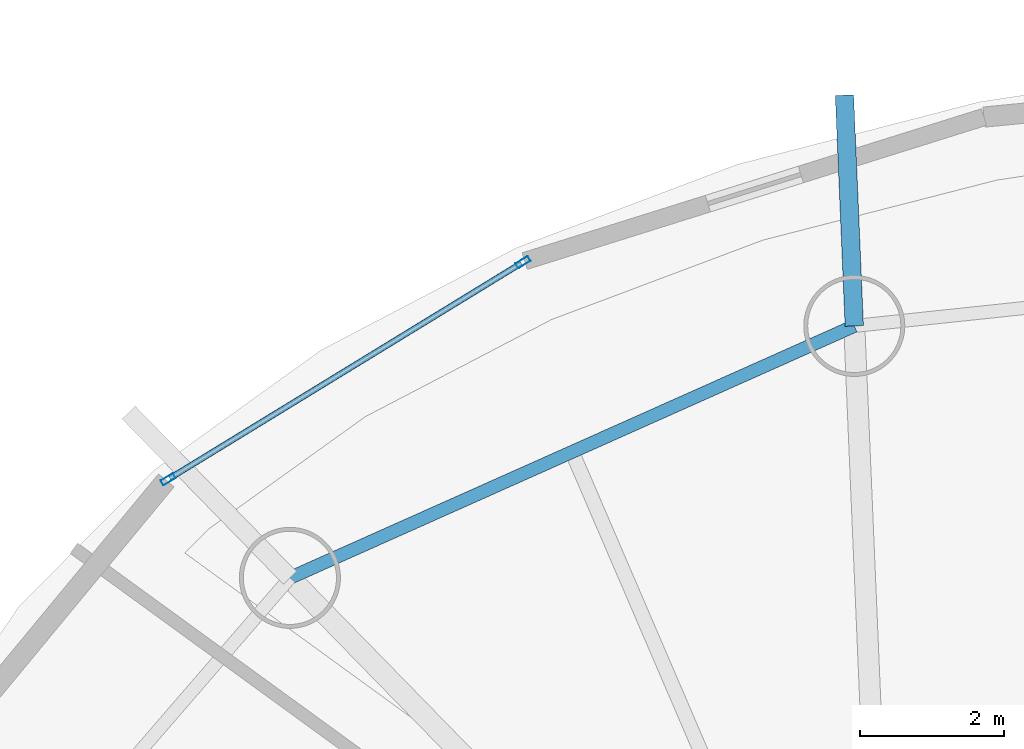
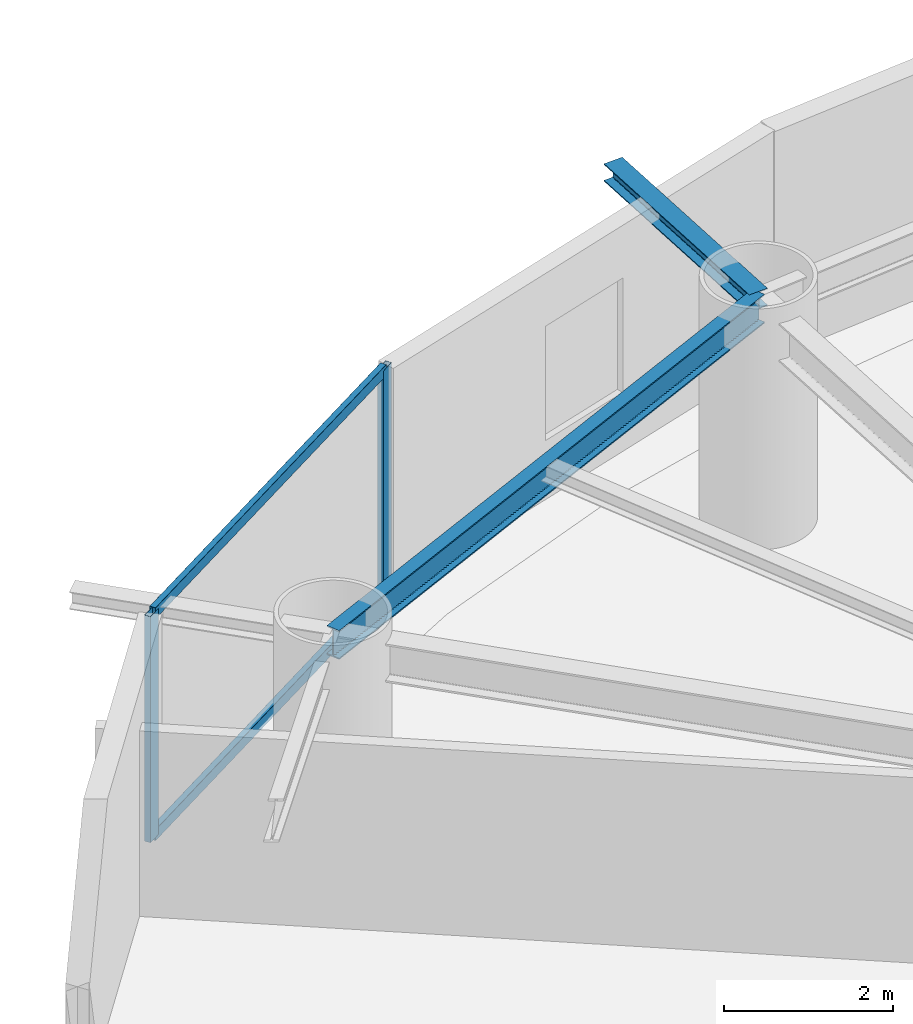
# One storey, part 9 of 20: 4 members, 2 beams, 1 element without a shape of its own.
"""IFC4 building model written with IfcOpenShell, lengths in metres."""

from ifc_helpers import new_model, si_unit, direction, frame, origin, origin_2d, place, context, subcontext, project, spatial, hollow_rectangle, i_section, extrude, material, layer, layer_set, material_profile, profile_set, type_object, element, aggregate, save


model = new_model("IFC4")

# Units and contexts
model_context = context("Model", 3, precision=1e-05, world=origin(), true_north=direction((0.0, 1.0)))
body_context = subcontext(model_context, "Body", "Model", "MODEL_VIEW")
ifc_project = project(units=[si_unit("LENGTHUNIT", "METRE"), si_unit("AREAUNIT", "SQUARE_METRE"), si_unit("VOLUMEUNIT", "CUBIC_METRE"), si_unit("PLANEANGLEUNIT", "RADIAN"), si_unit("MASSUNIT", "GRAM", prefix="KILO")], contexts=[model_context])

# Site, building, storey
site_placement = place(None, origin())
site = spatial("IfcSite", under=ifc_project, at=site_placement, CompositionType="ELEMENT")
building_placement = place(site_placement, origin())
building = spatial("IfcBuilding", under=site, at=building_placement, Name="Bramvorn Convention Spire", CompositionType="ELEMENT")
storey_placement = place(building_placement, frame((0.0, 0.0, 144.800048828125)))
storey = spatial("IfcBuildingStorey", under=building, at=storey_placement, Name="L36", CompositionType="ELEMENT", Elevation=144.800048828125)

# Beams
ifc_material_1 = material(Name="Steel CSA G40.21 Grade 350 (350W)", Category="steel")
ifc_material_profile_1 = material_profile(ifc_material_1, i_section(OverallWidth=0.25390625, OverallDepth=0.2529296875, WebThickness=0.008544921875, FlangeThickness=0.01416015625, FilletRadius=0.011962890625, at=origin_2d()))
ifc_profile_set_1 = profile_set([ifc_material_profile_1], Name="Steel CSA G40.21 Grade 350 (350W) - W250X73")
beam_type_1 = type_object("IfcBeamType", Name="BM-W250X73", PredefinedType="BEAM", material=ifc_profile_set_1)
beam_1_placement = place(storey_placement, frame((26.23828125, 45.478759765625, 3.133544921875), z_axis=(-0.042496892375, 0.999096599003, 0.0), x_axis=(-0.999096599003, -0.042496892375, 0.0)))
element("IfcBeam", 1, at=beam_1_placement, inside=storey, type_object=beam_type_1, Name="L36 slab-edge cantilever tip beam MC07", PredefinedType="BEAM", context=body_context, shape_type="SweptSolid", body=[
    extrude(i_section(OverallWidth=0.25390625, OverallDepth=0.2529296875, WebThickness=0.008544921875, FlangeThickness=0.01416015625, FilletRadius=0.011962890625, at=origin_2d()), origin(), (0.0, 0.0, 1.0), 3.199951171875),
])
ifc_material_profile_2 = material_profile(ifc_material_1, i_section(OverallWidth=0.180908203125, OverallDepth=0.4169921875, WebThickness=0.010986328125, FlangeThickness=0.018310546875, FilletRadius=0.01611328125, at=origin_2d()))
ifc_profile_set_2 = profile_set([ifc_material_profile_2], Name="Steel CSA G40.21 Grade 350 (350W) - W410X85")
beam_type_2 = type_object("IfcBeamType", Name="BM-W410X85", PredefinedType="JOIST", material=ifc_profile_set_2)
beam_2_placement = place(storey_placement, frame((26.23828125, 45.478759765625, 3.051513671875), z_axis=(-0.913169534701, -0.407579931908, 0.0), x_axis=(0.407579931908, -0.913169534701, 0.0)))
element("IfcBeam", 2, at=beam_2_placement, inside=storey, type_object=beam_type_2, Name="L36 mega-column ring beam 07", PredefinedType="JOIST", context=body_context, shape_type="SweptSolid", body=[
    extrude(i_section(OverallWidth=0.180908203125, OverallDepth=0.4169921875, WebThickness=0.010986328125, FlangeThickness=0.018310546875, FilletRadius=0.01611328125, at=origin_2d()), origin(), (0.0, 0.0, 1.0), 8.5615234375),
])

# Curtain wall, members
ifc_material_2 = material(Name="Anodised Bronze Unitised Curtain Wall", Category="aluminium")
ifc_layer = layer(ifc_material_2, 0.179931640625)
ifc_layer_set = layer_set([ifc_layer], Name="Anodised Bronze Unitised Curtain Wall - CW-HTL-FRIT")
curtain_wall_type = type_object("IfcCurtainWallType", Name="CW-HTL-FRIT", PredefinedType="USERDEFINED", material=ifc_layer_set)
curtain_wall_placement = place(storey_placement, origin())
curtain_wall = element("IfcCurtainWall", 3, at=curtain_wall_placement, inside=storey, type_object=curtain_wall_type, Name="L36 fritted glass curtain wall 11", ObjectType="UNITISED CURTAIN WALL", PredefinedType="USERDEFINED")
ifc_material_3 = material(Name="Anodised Bronze Aluminium 6063-T6", Category="aluminium")
ifc_material_profile_3 = material_profile(ifc_material_3, hollow_rectangle(XDim=0.080078125, YDim=0.199951171875, WallThickness=0.00390625, InnerFilletRadius=0.0009765625, OuterFilletRadius=0.00390625, at=origin_2d()))
ifc_profile_set_3 = profile_set([ifc_material_profile_3], Name="Anodised Bronze Aluminium 6063-T6 - CWM80X200")
member_type_1 = type_object("IfcMemberType", Name="CW-MUL-180", PredefinedType="MULLION", material=ifc_profile_set_3)
member_1_placement = place(storey_placement, frame((16.733154296875, 43.354736328125, 0.0), z_axis=(0.0, 0.0, 1.0), x_axis=(-0.521871619998, 0.853024039662, 0.0)))
member_1 = element("IfcMember", 4, at=member_1_placement, type_object=member_type_1, Name="CW2 mullion 1", PredefinedType="MULLION", context=body_context, shape_type="SweptSolid", body=[
    extrude(hollow_rectangle(XDim=0.080078125, YDim=0.199951171875, WallThickness=0.00390625, InnerFilletRadius=0.0009765625, OuterFilletRadius=0.00390625, at=origin_2d()), origin(), (0.0, 0.0, 1.0), 3.260009765625),
])
member_2_placement = place(storey_placement, frame((21.64892578125, 46.362060546875, 0.0), z_axis=(0.0, 0.0, 1.0), x_axis=(-0.521871619998, 0.853024039662, 0.0)))
member_2 = element("IfcMember", 5, at=member_2_placement, type_object=member_type_1, Name="CW2 mullion 2", PredefinedType="MULLION", context=body_context, shape_type="SweptSolid", body=[
    extrude(hollow_rectangle(XDim=0.080078125, YDim=0.199951171875, WallThickness=0.00390625, InnerFilletRadius=0.0009765625, OuterFilletRadius=0.00390625, at=origin_2d()), origin(), (0.0, 0.0, 1.0), 3.260009765625),
])
ifc_material_profile_4 = material_profile(ifc_material_3, hollow_rectangle(XDim=0.080078125, YDim=0.159912109375, WallThickness=0.00390625, InnerFilletRadius=0.0009765625, OuterFilletRadius=0.00390625, at=origin_2d()))
ifc_profile_set_4 = profile_set([ifc_material_profile_4], Name="Anodised Bronze Aluminium 6063-T6 - CWT80X160")
member_type_2 = type_object("IfcMemberType", Name="CW-TRN-150", PredefinedType="USERDEFINED", material=ifc_profile_set_4)
member_3_placement = place(storey_placement, frame((16.7587890625, 43.370361328125, 0.030029296875), z_axis=(0.853022453026, 0.52187421342, 0.0), x_axis=(-0.52187421342, 0.853022453026, 0.0)))
member_3 = element("IfcMember", 6, at=member_3_placement, type_object=member_type_2, Name="CW2 transom 1.1", ObjectType="TRANSOM", PredefinedType="USERDEFINED", context=body_context, shape_type="SweptSolid", body=[
    extrude(hollow_rectangle(XDim=0.080078125, YDim=0.159912109375, WallThickness=0.00390625, InnerFilletRadius=0.0009765625, OuterFilletRadius=0.00390625, at=origin_2d()), origin(), (0.0, 0.0, 1.0), 5.70263671875),
])
member_4_placement = place(storey_placement, frame((16.7587890625, 43.370361328125, 3.22998046875), z_axis=(0.853022453026, 0.52187421342, 0.0), x_axis=(-0.52187421342, 0.853022453026, 0.0)))
member_4 = element("IfcMember", 7, at=member_4_placement, type_object=member_type_2, Name="CW2 transom 1.2", ObjectType="TRANSOM", PredefinedType="USERDEFINED", context=body_context, shape_type="SweptSolid", body=[
    extrude(hollow_rectangle(XDim=0.080078125, YDim=0.159912109375, WallThickness=0.00390625, InnerFilletRadius=0.0009765625, OuterFilletRadius=0.00390625, at=origin_2d()), origin(), (0.0, 0.0, 1.0), 5.70263671875),
])
aggregate(curtain_wall, [member_1, member_2, member_3, member_4])

save(model, "model.ifc")
